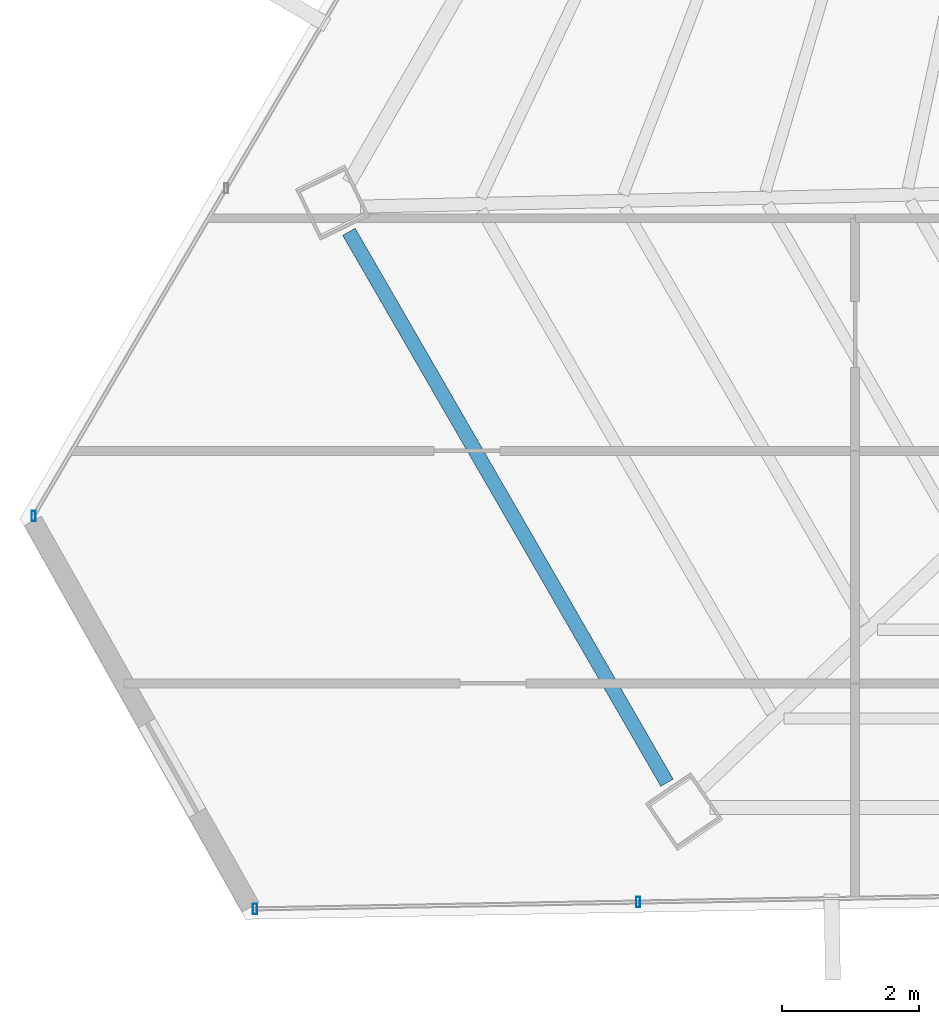
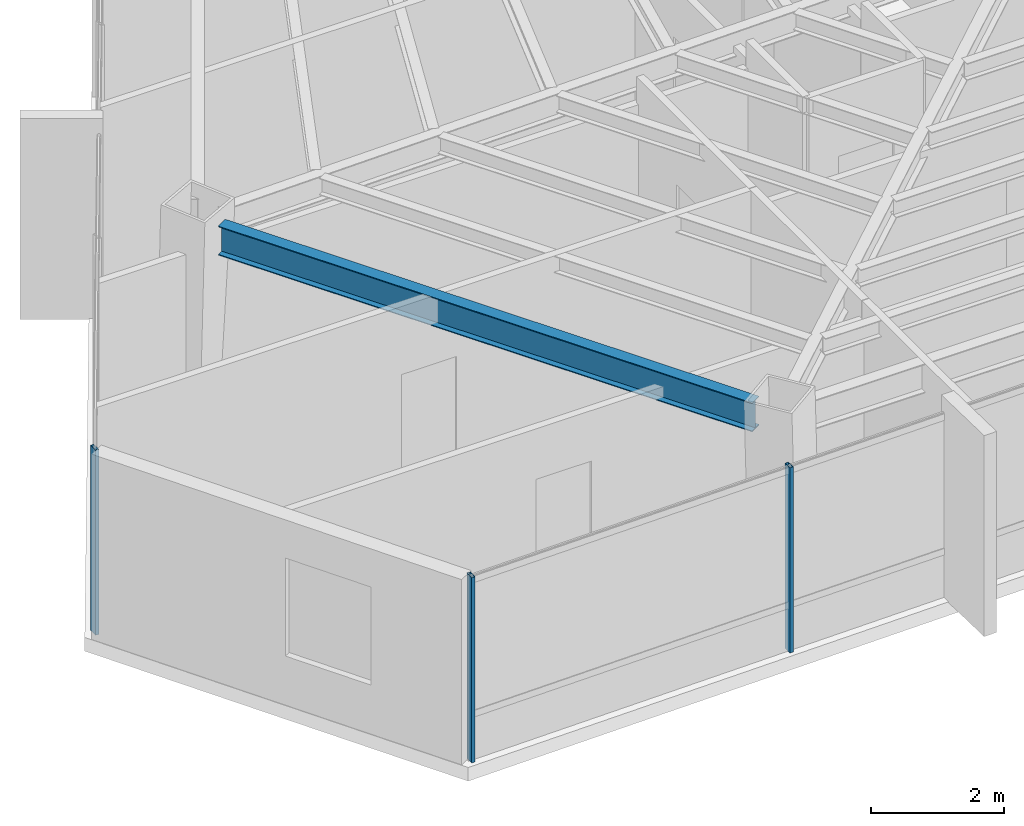
# One storey, part 3 of 42: 3 members, 1 beam, 2 elements without a shape of their own.
"""IFC4 building model written with IfcOpenShell, lengths in metres."""

import ifcopenshell
import ifcopenshell.guid

model = None  # the IFC model being written
_history = None  # IfcOwnerHistory: only IFC2X3 demands one
_inside = {}  # id of a spatial element -> (the spatial element, [elements in it])
_under = {}  # id of a project, library or spatial element -> (it, [spatial elements below it])
_declared = {}  # id of a project -> (the project, [libraries it declares])
_typed = {}  # id of a type object -> (the type object, [elements of that type])
_made_of = {}  # id of a material, layer set ... -> (it, [elements and type objects made of it])


def new_model(schema):
    """Start an empty IFC model of exactly this schema.

    Asked for "IFC4X3", IfcOpenShell would pick the latest addendum, in which some entities
    have other attributes; the version numbers below select the first issue.
    IFC2X3 requires an IfcOwnerHistory on every rooted entity: one is made here for all.
    """
    global model, _history
    if schema == "IFC4X3":
        model = ifcopenshell.file(schema_version=(4, 3, 0, 0))
    else:
        model = ifcopenshell.file(schema=schema)
    _inside.clear()
    _under.clear()
    _declared.clear()
    _typed.clear()
    _made_of.clear()
    _history = None
    if model.schema == "IFC2X3":
        org = make("IfcOrganization", Name="unknown")
        user = make(
            "IfcPersonAndOrganization",
            ThePerson=make("IfcPerson", FamilyName="unknown"),
            TheOrganization=org,
        )
        app = make(
            "IfcApplication",
            ApplicationDeveloper=org,
            Version="unknown",
            ApplicationFullName="unknown",
            ApplicationIdentifier="unknown",
        )
        _history = make(
            "IfcOwnerHistory",
            OwningUser=user,
            OwningApplication=app,
            ChangeAction="ADDED",
            CreationDate=0,
        )
    return model


def make(cls, **values):
    """One entity of the class cls with the attributes given. An attribute that is None is left unset."""
    return model.create_entity(
        cls, **{name: value for name, value in values.items() if value is not None}
    )


def rooted(cls, **values):
    """An entity with a GlobalId (a new one), such as an element, a storey or a relation."""
    return make(cls, GlobalId=ifcopenshell.guid.new(), OwnerHistory=_history, **values)


def si_unit(unit_type, name, prefix=None):
    """IfcSIUnit, for example si_unit("LENGTHUNIT", "METRE", prefix="MILLI")."""
    return make("IfcSIUnit", UnitType=unit_type, Prefix=prefix, Name=name)


def assignment(units):
    """IfcUnitAssignment: the units of a project."""
    return None if units is None else make("IfcUnitAssignment", Units=units)


def point(xyz):
    """IfcCartesianPoint."""
    return None if xyz is None else make("IfcCartesianPoint", Coordinates=xyz)


def direction(xyz):
    """IfcDirection."""
    return None if xyz is None else make("IfcDirection", DirectionRatios=xyz)


def frame(location, z_axis=None, x_axis=None):
    """IfcAxis2Placement3D, a coordinate frame: its origin and axes. An axis left out is left unset."""
    return make(
        "IfcAxis2Placement3D",
        Location=point(location),
        Axis=direction(z_axis),
        RefDirection=direction(x_axis),
    )


def frame_2d(location, x_axis=None):
    """IfcAxis2Placement2D, a coordinate frame in the plane: its origin and x axis."""
    return make(
        "IfcAxis2Placement2D", Location=point(location), RefDirection=direction(x_axis)
    )


def origin():
    """The frame at (0, 0, 0) with its axes left unset."""
    return frame((0.0, 0.0, 0.0))


def origin_2d():
    """The frame at (0, 0) in the plane with its x axis left unset."""
    return frame_2d((0.0, 0.0))


def place(relative_to, where):
    """IfcLocalPlacement: puts the frame where relative to a parent placement (None: the world)."""
    return make(
        "IfcLocalPlacement", PlacementRelTo=relative_to, RelativePlacement=where
    )


def context(
    kind, dimensions, precision=None, world=None, true_north=None, identifier=None
):
    """IfcGeometricRepresentationContext, for example the 3D "Model" context."""
    return make(
        "IfcGeometricRepresentationContext",
        ContextIdentifier=identifier,
        ContextType=kind,
        CoordinateSpaceDimension=dimensions,
        Precision=precision,
        WorldCoordinateSystem=world,
        TrueNorth=true_north,
    )


def subcontext(parent, identifier, kind, view, scale=None):
    """IfcGeometricRepresentationSubContext, for example "Body" below "Model"."""
    return make(
        "IfcGeometricRepresentationSubContext",
        ContextIdentifier=identifier,
        ContextType=kind,
        ParentContext=parent,
        TargetScale=scale,
        TargetView=view,
    )


def project(units=None, contexts=None):
    """IfcProject with its units and contexts."""
    return rooted(
        "IfcProject",
        Name="project",
        RepresentationContexts=contexts,
        UnitsInContext=assignment(units),
    )


def spatial(cls, under=None, at=None, **own):
    """A site, building, storey or space (cls), placed at a placement, below another one or the project."""
    s = rooted(cls, ObjectPlacement=at, **own)
    if under is not None:
        _under.setdefault(under.id(), (under, []))[1].append(s)
    return s


def profile(cls, at=None, kind="AREA", **sizes):
    """A parametric profile (cls). Its sizes go by their IFC names, for example OverallWidth=200.0."""
    return make(cls, ProfileType=kind, Position=at, **sizes)


def hollow_rectangle(**sizes):
    """IfcRectangleHollowProfileDef."""
    return profile("IfcRectangleHollowProfileDef", **sizes)


def i_section(**sizes):
    """IfcIShapeProfileDef."""
    return profile("IfcIShapeProfileDef", **sizes)


def extrude(swept, where, along, depth):
    """IfcExtrudedAreaSolid: the profile swept, set in the frame where, extruded along a direction by depth."""
    return make(
        "IfcExtrudedAreaSolid",
        SweptArea=swept,
        Position=where,
        ExtrudedDirection=direction(along),
        Depth=depth,
    )


def shape(context_of_items, identifier, shape_type, items):
    """IfcShapeRepresentation: the items that make up one representation, for example the "Body"."""
    return make(
        "IfcShapeRepresentation",
        ContextOfItems=context_of_items,
        RepresentationIdentifier=identifier,
        RepresentationType=shape_type,
        Items=items,
    )


def source(mapping_origin, context_of_items, identifier, shape_type, items):
    """IfcRepresentationMap: a shape defined once, which mapped items show again and again."""
    return make(
        "IfcRepresentationMap",
        MappingOrigin=mapping_origin,
        MappedRepresentation=shape(context_of_items, identifier, shape_type, items),
    )


def transform(
    local_origin,
    x_axis=None,
    y_axis=None,
    z_axis=None,
    scale=None,
    scale2=None,
    scale3=None,
    uniform=True,
):
    """IfcCartesianTransformationOperator3D, or its non-uniform kind. x_axis, y_axis, z_axis: its Axis1, 2, 3."""
    if uniform:
        return make(
            "IfcCartesianTransformationOperator3D",
            Axis1=direction(x_axis),
            Axis2=direction(y_axis),
            LocalOrigin=point(local_origin),
            Scale=scale,
            Axis3=direction(z_axis),
        )
    return make(
        "IfcCartesianTransformationOperator3DnonUniform",
        Axis1=direction(x_axis),
        Axis2=direction(y_axis),
        LocalOrigin=point(local_origin),
        Scale=scale,
        Axis3=direction(z_axis),
        Scale2=scale2,
        Scale3=scale3,
    )


def mapped(mapping_source, mapping_target):
    """IfcMappedItem: shows the shape of a source again, moved by a transform."""
    return make(
        "IfcMappedItem", MappingSource=mapping_source, MappingTarget=mapping_target
    )


def material(Name=None, Category=None):
    """IfcMaterial."""
    return make("IfcMaterial", Name=Name, Category=Category)


def material_profile(
    of_material, cross_section, Name=None, Category=None, Priority=None
):
    """IfcMaterialProfile: a cross section and its material."""
    return make(
        "IfcMaterialProfile",
        Name=Name,
        Material=of_material,
        Profile=cross_section,
        Priority=Priority,
        Category=Category,
    )


def profile_set(profiles, Name=None, composite=None):
    """IfcMaterialProfileSet."""
    return make(
        "IfcMaterialProfileSet",
        Name=Name,
        MaterialProfiles=profiles,
        CompositeProfile=composite,
    )


def made_of(thing, what):
    """Note that an element or type object is made of a material, layer set ...; save() writes the relation."""
    if what is not None:
        _made_of.setdefault(what.id(), (what, []))[1].append(thing)
    return thing


def type_object(cls, material=None, **own):
    """A type object (cls), such as IfcWallType, which elements share."""
    return made_of(rooted(cls, **own), material)


def type_shapes(of_type, sources):
    """Give a type object the sources (RepresentationMaps) that its elements show as mapped items."""
    of_type.RepresentationMaps = sources


def element(
    cls,
    number,
    at=None,
    inside=None,
    cuts=None,
    type_object=None,
    material=None,
    context=None,
    identifier="Body",
    shape_type=None,
    held_by="IfcProductDefinitionShape",
    body=None,
    shapes=None,
    **own,
):
    """One element of the class cls, such as IfcWall. Its Tag is "e" and its number.

    at: its placement. inside: the storey or other place that contains it. cuts: it is an
    opening in that element (IfcRelVoidsElement). A single representation is given by context,
    identifier, shape_type and body (its items); several are given by shapes. held_by: the class
    of the entity that holds the representations. save() writes the other relations.
    """
    e = rooted(cls, Tag="e%d" % number, ObjectPlacement=at, **own)
    if body is not None:
        shapes = [shape(context, identifier, shape_type, body)]
    if shapes is not None:
        e.Representation = make(held_by, Representations=shapes)
    if inside is not None:
        _inside.setdefault(inside.id(), (inside, []))[1].append(e)
    if cuts is not None:
        rooted(
            "IfcRelVoidsElement", RelatingBuildingElement=cuts, RelatedOpeningElement=e
        )
    if type_object is not None:
        _typed.setdefault(type_object.id(), (type_object, []))[1].append(e)
    return made_of(e, material)


def aggregate(whole, parts):
    """IfcRelAggregates: a whole, such as a stair, and the parts it consists of."""
    return rooted("IfcRelAggregates", RelatingObject=whole, RelatedObjects=parts)


def save(model, path):
    """Write the relations noted so far, then the file.

    IfcRelAggregates (storeys below a building ...), IfcRelContainedInSpatialStructure (elements
    in a storey), IfcRelDefinesByType, IfcRelAssociatesMaterial and IfcRelDeclares: one each for
    every whole, place, type object, material and project.
    """
    for whole, parts in _under.values():
        aggregate(whole, parts)
    for where, things in _inside.values():
        rooted(
            "IfcRelContainedInSpatialStructure",
            RelatedElements=things,
            RelatingStructure=where,
        )
    for kind, things in _typed.values():
        rooted("IfcRelDefinesByType", RelatedObjects=things, RelatingType=kind)
    for what, things in _made_of.values():
        rooted("IfcRelAssociatesMaterial", RelatedObjects=things, RelatingMaterial=what)
    for by, libraries in _declared.values():
        rooted("IfcRelDeclares", RelatingContext=by, RelatedDefinitions=libraries)
    model.write(path)


model = new_model("IFC4")

# Units and contexts
model_context = context("Model", 3, precision=1e-05, world=origin(), true_north=direction((0.0, 1.0)))
body_context = subcontext(model_context, "Body", "Model", "MODEL_VIEW")
ifc_project = project(units=[si_unit("LENGTHUNIT", "METRE"), si_unit("AREAUNIT", "SQUARE_METRE"), si_unit("VOLUMEUNIT", "CUBIC_METRE"), si_unit("PLANEANGLEUNIT", "RADIAN"), si_unit("MASSUNIT", "GRAM", prefix="KILO")], contexts=[model_context])

# Site, building, storey
site_placement = place(None, origin())
site = spatial("IfcSite", under=ifc_project, at=site_placement, CompositionType="ELEMENT")
building_placement = place(site_placement, origin())
building = spatial("IfcBuilding", under=site, at=building_placement, Name="Caelisora Broadcast Tower", CompositionType="ELEMENT")
storey_placement = place(building_placement, frame((0.0, 0.0, 202.300048828125)))
storey = spatial("IfcBuildingStorey", under=building, at=storey_placement, Name="L53", CompositionType="ELEMENT", Elevation=202.300048828125)

# Beam
ifc_material_1 = material(Name="Steel Grade 350 (AS/NZS 3679.1)", Category="steel")
ifc_material_profile_1 = material_profile(ifc_material_1, i_section(OverallWidth=0.208984375, OverallDepth=0.532958984375, WebThickness=0.01025390625, FlangeThickness=0.015625, at=origin_2d()), Name="Steel Grade 350 (AS/NZS 3679.1)")
ifc_profile_set_1 = profile_set([ifc_material_profile_1], Name="Steel Grade 350 (AS/NZS 3679.1)")
beam_type = type_object("IfcBeamType", Name="PG05", PredefinedType="BEAM", material=ifc_profile_set_1)
shared_shape_1 = source(origin(), body_context, "Body", "SweptSolid", [
    extrude(i_section(OverallWidth=0.208984375, OverallDepth=0.532958984375, WebThickness=0.01025390625, FlangeThickness=0.015625, at=origin_2d()), origin(), (0.0, 0.0, 1.0), 9.270263671875),
])
type_shapes(beam_type, [shared_shape_1])
beam_placement = place(storey_placement, frame((16.12255859375, 16.72119140625, 3.133544921875), z_axis=(0.499988420318, -0.866032089214, 0.0), x_axis=(0.866032089214, 0.499988420318, 0.0)))
element("IfcBeam", 1, at=beam_placement, inside=storey, type_object=beam_type, Name="L53 beam PG05", PredefinedType="BEAM", context=body_context, shape_type="MappedRepresentation", body=[
    mapped(shared_shape_1, transform((0.0, 0.0, 0.0), scale=1.0)),
])

# Curtain wall, members
ifc_material_2 = material(Name="Unitised Aluminium and Low-E Glass Curtain Wall", Category="glass")
curtain_wall_type = type_object("IfcCurtainWallType", Name="CW-Z4", PredefinedType="NOTDEFINED", material=ifc_material_2)
curtain_wall_1_placement = place(storey_placement, origin())
curtain_wall_1 = element("IfcCurtainWall", 2, at=curtain_wall_1_placement, inside=storey, type_object=curtain_wall_type, Name="L53 curtain wall CW-Z4", PredefinedType="NOTDEFINED")
ifc_material_3 = material(Name="Aluminium 6063-T6 Anodised Terracotta Bronze", Category="aluminium")
ifc_material_profile_2 = material_profile(ifc_material_3, hollow_rectangle(XDim=0.06005859375, YDim=0.14990234375, WallThickness=0.00341796875, at=origin_2d()), Name="Aluminium 6063-T6 Anodised Terracotta Bronze")
ifc_profile_set_2 = profile_set([ifc_material_profile_2], Name="Aluminium 6063-T6 Anodised Terracotta Bronze")
member_type = type_object("IfcMemberType", Name="CWM-03", PredefinedType="MULLION", material=ifc_profile_set_2)
shared_shape_2 = source(origin(), body_context, "Body", "SweptSolid", [
    extrude(hollow_rectangle(XDim=0.06005859375, YDim=0.14990234375, WallThickness=0.00341796875, at=origin_2d()), origin(), (0.0, 0.0, 1.0), 3.39990234375),
])
type_shapes(member_type, [shared_shape_2])
member_1_placement = place(storey_placement, frame((20.3369140625, 6.95361328125, 0.0), z_axis=(0.0, 0.0, 1.0), x_axis=(1.0, 0.0, 0.0)))
member_1 = element("IfcMember", 3, at=member_1_placement, type_object=member_type, Name="L53-CW-B07 mullion #2", PredefinedType="MULLION", context=body_context, shape_type="MappedRepresentation", body=[
    mapped(shared_shape_2, transform((0.0, 0.0, 0.0), scale=1.0)),
])
member_2_placement = place(storey_placement, frame((14.75390625, 6.85400390625, 0.0), z_axis=(0.0, 0.0, 1.0), x_axis=(1.0, 0.0, 0.0)))
member_2 = element("IfcMember", 4, at=member_2_placement, type_object=member_type, Name="L53-CW-B07 mullion #3", PredefinedType="MULLION", context=body_context, shape_type="MappedRepresentation", body=[
    mapped(shared_shape_2, transform((0.0, 0.0, 0.0), scale=1.0)),
])
aggregate(curtain_wall_1, [member_1, member_2])

# Curtain wall, member
curtain_wall_2_placement = place(storey_placement, origin())
curtain_wall_2 = element("IfcCurtainWall", 5, at=curtain_wall_2_placement, inside=storey, type_object=curtain_wall_type, Name="L53 curtain wall CW-Z4", PredefinedType="NOTDEFINED")
member_3_placement = place(storey_placement, frame((11.5263671875, 12.580078125, 0.0), z_axis=(0.0, 0.0, 1.0), x_axis=(1.0, 0.0, 0.0)))
member_3 = element("IfcMember", 6, at=member_3_placement, type_object=member_type, Name="L53-CW-B09 mullion #0", PredefinedType="MULLION", context=body_context, shape_type="MappedRepresentation", body=[
    mapped(shared_shape_2, transform((0.0, 0.0, 0.0), scale=1.0)),
])
aggregate(curtain_wall_2, [member_3])

save(model, "model.ifc")
